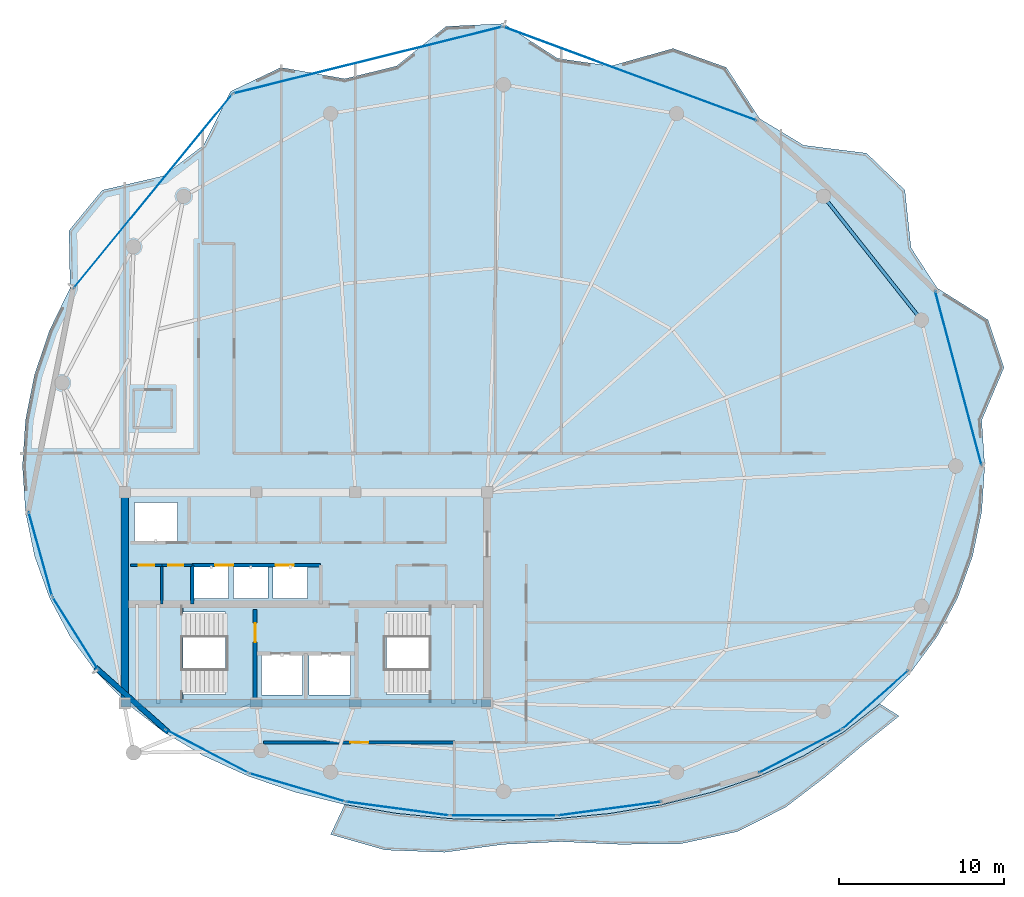
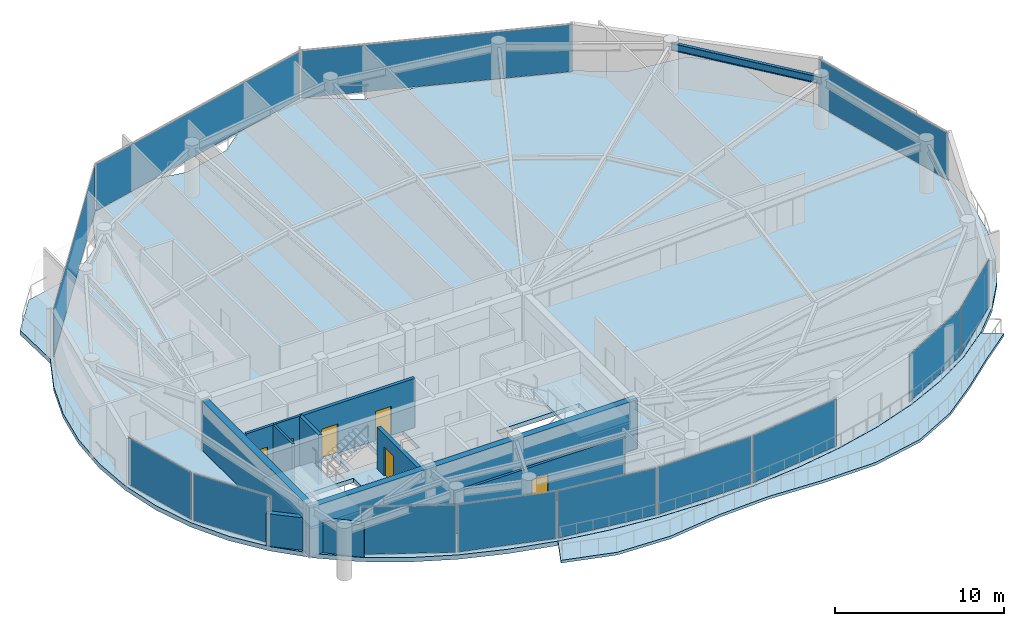
# One storey, part 23 of 29: 13 plates, 10 walls, 6 doors, 4 slabs, 1 beam, 6 openings, 15 elements without a shape of their own.
"""IFC4 building model written with IfcOpenShell, lengths in metres."""

from ifc_helpers import new_model, si_unit, direction, frame, frame_2d, origin, origin_2d, place, context, subcontext, project, spatial, polyline, rectangle, i_section, outline, extrude, material, layer, layer_set, material_profile, profile_set, type_object, element, fill, aggregate, save


model = new_model("IFC4")

# Units and contexts
model_context = context("Model", 3, precision=1e-05, world=origin(), true_north=direction((0.0, 1.0)))
body_context = subcontext(model_context, "Body", "Model", "MODEL_VIEW")
ifc_project = project(units=[si_unit("LENGTHUNIT", "METRE"), si_unit("AREAUNIT", "SQUARE_METRE"), si_unit("VOLUMEUNIT", "CUBIC_METRE"), si_unit("PLANEANGLEUNIT", "RADIAN"), si_unit("MASSUNIT", "GRAM", prefix="KILO")], contexts=[model_context])

# Site, building, storey
site_placement = place(None, origin())
site = spatial("IfcSite", under=ifc_project, at=site_placement, CompositionType="ELEMENT")
building_placement = place(site_placement, origin())
building = spatial("IfcBuilding", under=site, at=building_placement, Name="Kazevale Care Tower and Concert Hall", CompositionType="ELEMENT")
storey_placement = place(building_placement, frame((0.0, 0.0, 281.39990234375)))
storey = spatial("IfcBuildingStorey", under=building, at=storey_placement, Name="L74", CompositionType="ELEMENT", Elevation=281.39990234375)

# Beam
ifc_material_1 = material(Name="Steel ASTM A572 Gr 50", Category="steel")
ifc_material_profile = material_profile(ifc_material_1, i_section(OverallWidth=0.208984375, OverallDepth=0.532958984375, WebThickness=0.01025390625, FlangeThickness=0.015625, at=origin_2d()), Name="W530x92")
ifc_profile_set = profile_set([ifc_material_profile], Name="Steel ASTM A572 Gr 50")
beam_type = type_object("IfcBeamType", Name="Upper Ring Beam W530x92", PredefinedType="BEAM", material=ifc_profile_set)
beam_placement = place(storey_placement, frame((70.360107421875, 46.860107421875, 3.293701171875), z_axis=(-0.621008988522, 0.783803442308, 0.0), x_axis=(-0.783803442308, -0.621008988522, 0.0)))
element("IfcBeam", 1, at=beam_placement, inside=storey, type_object=beam_type, Name="beam:L74:ring:02", PredefinedType="BEAM", context=body_context, shape_type="SweptSolid", body=[
    extrude(i_section(OverallWidth=0.208984375, OverallDepth=0.532958984375, WebThickness=0.01025390625, FlangeThickness=0.015625, at=origin_2d()), origin(), (0.0, 0.0, 1.0), 9.58154296875),
])

# Curtain wall, plate
ifc_material_2 = material(Name="Aluminium 6063-T6 and Low-E Glass", Category="aluminium")
ifc_layer_1 = layer(ifc_material_2, 0.179931640625)
ifc_layer_set_1 = layer_set([ifc_layer_1], Name="Aluminium 6063-T6 and Low-E Glass")
curtain_wall_type_1 = type_object("IfcCurtainWallType", Name="Convex Checkerboard Finned Curtain Wall CW-2", PredefinedType="NOTDEFINED", material=ifc_layer_set_1)
curtain_wall_1_placement = place(storey_placement, origin())
curtain_wall_1 = element("IfcCurtainWall", 2, at=curtain_wall_1_placement, inside=storey, type_object=curtain_wall_type_1, Name="cw:L74:f14", PredefinedType="NOTDEFINED")
ifc_material_3 = material(Name="Low-E Laminated Glass", Category="glass")
ifc_layer_2 = layer(ifc_material_3, 0.028076171875)
ifc_layer_set_2 = layer_set([ifc_layer_2], Name="Low-E Laminated Glass")
plate_type_1 = type_object("IfcPlateType", Name="CW-2 Low-E Glazing Panel 28mm", PredefinedType="CURTAIN_PANEL", material=ifc_layer_set_2)
plate_1_placement = place(storey_placement, frame((23.717041015625, 54.681396484375, 0.0751953125), z_axis=(0.0, 0.0, 1.0), x_axis=(0.63342647463, 0.773802882676, 0.0)))
plate_1 = element("IfcPlate", 3, at=plate_1_placement, type_object=plate_type_1, Name="CW-2 panel 1.1", PredefinedType="CURTAIN_PANEL", context=body_context, shape_type="SweptSolid", body=[
    extrude(rectangle(XDim=15.134521484375, YDim=0.028076171875, at=origin_2d()), origin(), (0.0, 0.0, 1.0), 3.409912109375),
])
aggregate(curtain_wall_1, [plate_1])

curtain_wall_2_placement = place(storey_placement, origin())
curtain_wall_2 = element("IfcCurtainWall", 4, at=curtain_wall_2_placement, inside=storey, type_object=curtain_wall_type_1, Name="cw:L74:f16", PredefinedType="NOTDEFINED")
plate_2_placement = place(storey_placement, frame((52.678955078125, 61.80908203125, 0.0751953125), z_axis=(0.0, 0.0, 1.0), x_axis=(0.937915548844, -0.346863695471, 0.0)))
plate_2 = element("IfcPlate", 5, at=plate_2_placement, type_object=plate_type_1, Name="CW-2 panel 1.1", PredefinedType="CURTAIN_PANEL", context=body_context, shape_type="SweptSolid", body=[
    extrude(rectangle(XDim=16.319091796875, YDim=0.028076171875, at=origin_2d()), origin(), (0.0, 0.0, 1.0), 3.409912109375),
])
aggregate(curtain_wall_2, [plate_2])

ifc_layer_3 = layer(ifc_material_2, 0.179931640625)
ifc_layer_set_3 = layer_set([ifc_layer_3], Name="Aluminium 6063-T6 and Low-E Glass")
curtain_wall_type_2 = type_object("IfcCurtainWallType", Name="Waist & Upper Residential Curtain Wall CW-4", PredefinedType="NOTDEFINED", material=ifc_layer_set_3)
curtain_wall_3_placement = place(storey_placement, origin())
curtain_wall_3 = element("IfcCurtainWall", 6, at=curtain_wall_3_placement, inside=storey, type_object=curtain_wall_type_2, Name="cw:L74:f11", PredefinedType="NOTDEFINED")
ifc_layer_4 = layer(ifc_material_3, 0.030029296875)
ifc_layer_set_4 = layer_set([ifc_layer_4], Name="Low-E Laminated Glass")
plate_type_2 = type_object("IfcPlateType", Name="CW-4 Low-E Glazing Panel 30mm", PredefinedType="CURTAIN_PANEL", material=ifc_layer_set_4)
plate_3_placement = place(storey_placement, frame((19.008544921875, 27.85205078125, 0.080078125), z_axis=(0.0, 0.0, 1.0), x_axis=(-0.532074560711, 0.846697503152, 0.0)))
plate_3 = element("IfcPlate", 7, at=plate_3_placement, type_object=plate_type_2, Name="CW-4 panel 1.1", PredefinedType="CURTAIN_PANEL", context=body_context, shape_type="SweptSolid", body=[
    extrude(rectangle(XDim=5.119384765625, YDim=0.030029296875, at=origin_2d()), origin(), (0.0, 0.0, 1.0), 3.39990234375),
])
aggregate(curtain_wall_3, [plate_3])

curtain_wall_4_placement = place(storey_placement, origin())
curtain_wall_4 = element("IfcCurtainWall", 8, at=curtain_wall_4_placement, inside=storey, type_object=curtain_wall_type_2, Name="cw:L74:f12", PredefinedType="NOTDEFINED")
plate_4_placement = place(storey_placement, frame((16.883056640625, 32.67041015625, 0.080078125), z_axis=(0.0, 0.0, 1.0), x_axis=(-0.268807011704, 0.963194056491, 0.0)))
plate_4 = element("IfcPlate", 9, at=plate_4_placement, type_object=plate_type_2, Name="CW-4 panel 1.1", PredefinedType="CURTAIN_PANEL", context=body_context, shape_type="SweptSolid", body=[
    extrude(rectangle(XDim=5.204345703125, YDim=0.030029296875, at=origin_2d()), origin(), (0.0, 0.0, 1.0), 3.39990234375),
])
aggregate(curtain_wall_4, [plate_4])

curtain_wall_5_placement = place(storey_placement, origin())
curtain_wall_5 = element("IfcCurtainWall", 10, at=curtain_wall_5_placement, inside=storey, type_object=curtain_wall_type_2, Name="cw:L74:f15", PredefinedType="NOTDEFINED")
plate_5_placement = place(storey_placement, frame((36.756103515625, 62.633056640625, 0.080078125), z_axis=(0.0, 0.0, 1.0), x_axis=(0.970552136495, 0.240891158711, 0.0)))
plate_5 = element("IfcPlate", 11, at=plate_5_placement, type_object=plate_type_2, Name="CW-4 panel 1.1", PredefinedType="CURTAIN_PANEL", context=body_context, shape_type="SweptSolid", body=[
    extrude(rectangle(XDim=16.727294921875, YDim=0.030029296875, at=origin_2d()), origin(), (0.0, 0.0, 1.0), 3.39990234375),
])
aggregate(curtain_wall_5, [plate_5])

curtain_wall_6_placement = place(storey_placement, origin())
curtain_wall_6 = element("IfcCurtainWall", 12, at=curtain_wall_6_placement, inside=storey, type_object=curtain_wall_type_2, Name="cw:L74:f18", PredefinedType="NOTDEFINED")
plate_6_placement = place(storey_placement, frame((72.599609375, 43.3359375, 0.080078125), z_axis=(0.0, 0.0, 1.0), x_axis=(0.257251209214, -0.966344563475, 0.0)))
plate_6 = element("IfcPlate", 13, at=plate_6_placement, type_object=plate_type_2, Name="CW-4 panel 1.1", PredefinedType="CURTAIN_PANEL", context=body_context, shape_type="SweptSolid", body=[
    extrude(rectangle(XDim=10.8837890625, YDim=0.030029296875, at=origin_2d()), origin(), (0.0, 0.0, 1.0), 3.39990234375),
])
aggregate(curtain_wall_6, [plate_6])

ifc_layer_5 = layer(ifc_material_2, 0.179931640625)
ifc_layer_set_5 = layer_set([ifc_layer_5], Name="Aluminium 6063-T6 and Low-E Glass")
curtain_wall_type_3 = type_object("IfcCurtainWallType", Name="Sheltered Concave Balcony Curtain Wall CW-5", PredefinedType="NOTDEFINED", material=ifc_layer_set_5)
curtain_wall_7_placement = place(storey_placement, origin())
curtain_wall_7 = element("IfcCurtainWall", 14, at=curtain_wall_7_placement, inside=storey, type_object=curtain_wall_type_3, Name="cw:L74:f02", PredefinedType="NOTDEFINED")
ifc_layer_6 = layer(ifc_material_3, 0.02587890625)
ifc_layer_set_6 = layer_set([ifc_layer_6], Name="Low-E Laminated Glass")
plate_type_3 = type_object("IfcPlateType", Name="CW-5 Low-E Glazing Panel 26mm", PredefinedType="CURTAIN_PANEL", material=ifc_layer_set_6)
plate_7_placement = place(storey_placement, frame((67.56640625, 23.819580078125, 0.0751953125), z_axis=(0.0, 0.0, 1.0), x_axis=(-0.747133834563, -0.664673629123, 0.0)))
plate_7 = element("IfcPlate", 15, at=plate_7_placement, type_object=plate_type_3, Name="CW-5 panel 1.1", PredefinedType="CURTAIN_PANEL", context=body_context, shape_type="SweptSolid", body=[
    extrude(rectangle(XDim=5.2587890625, YDim=0.02587890625, at=origin_2d()), origin(), (0.0, 0.0, 1.0), 3.409912109375),
])
aggregate(curtain_wall_7, [plate_7])

curtain_wall_8_placement = place(storey_placement, origin())
curtain_wall_8 = element("IfcCurtainWall", 16, at=curtain_wall_8_placement, inside=storey, type_object=curtain_wall_type_3, Name="cw:L74:f03", PredefinedType="NOTDEFINED")
plate_8_placement = place(storey_placement, frame((63.007568359375, 20.693603515625, 0.0751953125), z_axis=(0.0, 0.0, 1.0), x_axis=(-0.886002261972, -0.463680915912, 0.0)))
plate_8 = element("IfcPlate", 17, at=plate_8_placement, type_object=plate_type_3, Name="CW-5 panel 1.1", PredefinedType="CURTAIN_PANEL", context=body_context, shape_type="SweptSolid", body=[
    extrude(rectangle(XDim=5.580322265625, YDim=0.02587890625, at=origin_2d()), origin(), (0.0, 0.0, 1.0), 3.409912109375),
])
aggregate(curtain_wall_8, [plate_8])

curtain_wall_9_placement = place(storey_placement, origin())
curtain_wall_9 = element("IfcCurtainWall", 18, at=curtain_wall_9_placement, inside=storey, type_object=curtain_wall_type_3, Name="cw:L74:f05", PredefinedType="NOTDEFINED")
plate_9_placement = place(storey_placement, frame((51.4326171875, 17.20947265625, 0.0751953125), z_axis=(0.0, 0.0, 1.0), x_axis=(-0.991177380664, -0.132542069018, 0.0)))
plate_9 = element("IfcPlate", 19, at=plate_9_placement, type_object=plate_type_3, Name="CW-5 panel 1.1", PredefinedType="CURTAIN_PANEL", context=body_context, shape_type="SweptSolid", body=[
    extrude(rectangle(XDim=6.255615234375, YDim=0.02587890625, at=origin_2d()), origin(), (0.0, 0.0, 1.0), 3.409912109375),
])
aggregate(curtain_wall_9, [plate_9])

curtain_wall_10_placement = place(storey_placement, origin())
curtain_wall_10 = element("IfcCurtainWall", 20, at=curtain_wall_10_placement, inside=storey, type_object=curtain_wall_type_3, Name="cw:L74:f06", PredefinedType="NOTDEFINED")
plate_10_placement = place(storey_placement, frame((45.0, 16.784912109375, 0.0751953125), z_axis=(0.0, 0.0, 1.0), x_axis=(-1.0, 0.0, 0.0)))
plate_10 = element("IfcPlate", 21, at=plate_10_placement, type_object=plate_type_3, Name="CW-5 panel 1.1", PredefinedType="CURTAIN_PANEL", context=body_context, shape_type="SweptSolid", body=[
    extrude(rectangle(XDim=6.365966796875, YDim=0.02587890625, at=origin_2d()), origin(), (0.0, 0.0, 1.0), 3.409912109375),
])
aggregate(curtain_wall_10, [plate_10])

curtain_wall_11_placement = place(storey_placement, origin())
curtain_wall_11 = element("IfcCurtainWall", 22, at=curtain_wall_11_placement, inside=storey, type_object=curtain_wall_type_3, Name="cw:L74:f07", PredefinedType="NOTDEFINED")
plate_11_placement = place(storey_placement, frame((38.5673828125, 17.20947265625, 0.0751953125), z_axis=(0.0, 0.0, 1.0), x_axis=(-0.991177380664, 0.132542069018, 0.0)))
plate_11 = element("IfcPlate", 23, at=plate_11_placement, type_object=plate_type_3, Name="CW-5 panel 1.1", PredefinedType="CURTAIN_PANEL", context=body_context, shape_type="SweptSolid", body=[
    extrude(rectangle(XDim=6.255615234375, YDim=0.02587890625, at=origin_2d()), origin(), (0.0, 0.0, 1.0), 3.409912109375),
])
aggregate(curtain_wall_11, [plate_11])

curtain_wall_12_placement = place(storey_placement, origin())
curtain_wall_12 = element("IfcCurtainWall", 24, at=curtain_wall_12_placement, inside=storey, type_object=curtain_wall_type_3, Name="cw:L74:f08", PredefinedType="NOTDEFINED")
plate_12_placement = place(storey_placement, frame((32.4619140625, 18.49951171875, 0.0751953125), z_axis=(0.0, 0.0, 1.0), x_axis=(-0.959060133902, 0.283202506274, 0.0)))
plate_12 = element("IfcPlate", 25, at=plate_12_placement, type_object=plate_type_3, Name="CW-5 panel 1.1", PredefinedType="CURTAIN_PANEL", context=body_context, shape_type="SweptSolid", body=[
    extrude(rectangle(XDim=5.962158203125, YDim=0.02587890625, at=origin_2d()), origin(), (0.0, 0.0, 1.0), 3.409912109375),
])
aggregate(curtain_wall_12, [plate_12])

curtain_wall_13_placement = place(storey_placement, origin())
curtain_wall_13 = element("IfcCurtainWall", 26, at=curtain_wall_13_placement, inside=storey, type_object=curtain_wall_type_3, Name="cw:L74:f09", PredefinedType="NOTDEFINED")
plate_13_placement = place(storey_placement, frame((26.992431640625, 20.693603515625, 0.0751953125), z_axis=(0.0, 0.0, 1.0), x_axis=(-0.886002261972, 0.463680915912, 0.0)))
plate_13 = element("IfcPlate", 27, at=plate_13_placement, type_object=plate_type_3, Name="CW-5 panel 1.1", PredefinedType="CURTAIN_PANEL", context=body_context, shape_type="SweptSolid", body=[
    extrude(rectangle(XDim=5.580322265625, YDim=0.02587890625, at=origin_2d()), origin(), (0.0, 0.0, 1.0), 3.409912109375),
])
aggregate(curtain_wall_13, [plate_13])

# Slab
ifc_material_4 = material(Name="Concrete C40", Category="concrete")
ifc_layer_7 = layer(ifc_material_4, 0.199951171875)
ifc_layer_set_7 = layer_set([ifc_layer_7], Name="Concrete C40")
slab_type_1 = type_object("IfcSlabType", Name="Sinusoidal Concave Balcony Slab 200", PredefinedType="USERDEFINED", material=ifc_layer_set_7)
slab_1_placement = place(storey_placement, frame((0.0, 0.0, -0.199951171875)))
element("IfcSlab", 28, at=slab_1_placement, inside=storey, type_object=slab_type_1, Name="slab:L74:bal", ObjectType="BALCONY", PredefinedType="USERDEFINED", context=body_context, shape_type="SweptSolid", body=[
    extrude(outline(polyline([(69.0009765625, 22.82861328125), (66.7392578125, 21.020263671875), (64.52734375, 19.139404296875), (62.1103515625, 17.291015625), (59.201904296875, 15.8193359375), (55.760986328125, 15.077880859375), (52.078125, 15.0400390625), (48.4833984375, 15.204345703125), (45.0, 15.038818359375), (41.41796875, 14.5595703125), (37.816162109375, 14.697021484375), (34.50244140625, 15.63916015625), (35.353759765625, 17.45263671875), (35.35498046875, 17.452392578125), (38.501708984375, 16.918212890625), (41.730224609375, 16.6005859375), (45.0, 16.4951171875), (48.269775390625, 16.6005859375), (51.498291015625, 16.918212890625), (54.64501953125, 17.452392578125), (57.6708984375, 18.208251953125), (60.537109375, 19.192626953125), (63.208251953125, 20.411376953125), (65.650390625, 21.868896484375), (67.832763671875, 23.5654296875), (67.833740234375, 23.56640625), (69.0009765625, 22.82861328125)])), origin(), (0.0, 0.0, 1.0), 0.199951171875),
])

# Stair, slab
stair_type = type_object("IfcStairType", Name="Exit Stair Assembly ST1-U", PredefinedType="HALF_TURN_STAIR", material=ifc_material_4)
stair_1_placement = place(storey_placement, origin())
stair_1 = element("IfcStair", 29, at=stair_1_placement, inside=storey, type_object=stair_type, Name="stair:L74:ST1", PredefinedType="HALF_TURN_STAIR")
ifc_layer_8 = layer(ifc_material_4, 0.199951171875)
ifc_layer_set_8 = layer_set([ifc_layer_8], Name="Concrete C40")
slab_type_2 = type_object("IfcSlabType", Name="Stair Half-Landing Slab ST1-U", PredefinedType="LANDING", material=ifc_layer_set_8)
slab_2_placement = place(storey_placement, frame((0.0, 0.0, 1.7001953125)))
slab_2 = element("IfcSlab", 30, at=slab_2_placement, type_object=slab_type_2, Name="ST1-U landing 1", PredefinedType="LANDING", context=body_context, shape_type="SweptSolid", body=[
    extrude(outline(polyline([(22.050048828125, 23.699951171875), (25.530029296875, 23.699951171875), (25.530029296875, 29.5), (22.050048828125, 29.5), (22.050048828125, 23.699951171875)])), origin(), (0.0, 0.0, 1.0), 0.199951171875),
])
aggregate(stair_1, [slab_2])

stair_2_placement = place(storey_placement, origin())
stair_2 = element("IfcStair", 31, at=stair_2_placement, inside=storey, type_object=stair_type, Name="stair:L74:ST2", PredefinedType="HALF_TURN_STAIR")
slab_3_placement = place(storey_placement, frame((0.0, 0.0, 1.7001953125)))
slab_3 = element("IfcSlab", 32, at=slab_3_placement, type_object=slab_type_2, Name="ST1-U landing 1", PredefinedType="LANDING", context=body_context, shape_type="SweptSolid", body=[
    extrude(outline(polyline([(40.469970703125, 23.699951171875), (43.949951171875, 23.699951171875), (43.949951171875, 29.5), (40.469970703125, 29.5), (40.469970703125, 23.699951171875)])), origin(), (0.0, 0.0, 1.0), 0.199951171875),
])
aggregate(stair_2, [slab_3])

# Slab
ifc_material_5 = material(Name="Concrete C50", Category="concrete")
ifc_layer_9 = layer(ifc_material_5, 0.320068359375)
ifc_layer_set_9 = layer_set([ifc_layer_9], Name="Concrete C50")
slab_type_3 = type_object("IfcSlabType", Name="Transfer & Refuge Floor Slab 320", PredefinedType="FLOOR", material=ifc_layer_set_9)
slab_4_placement = place(storey_placement, frame((0.0, 0.0, -0.31982421875)))
element("IfcSlab", 33, at=slab_4_placement, inside=storey, type_object=slab_type_3, Name="slab:L74:tw:1", PredefinedType="FLOOR", context=body_context, shape_type="SweptSolid", body=[
    extrude(outline(polyline([(74.199951171875, 38.0), (74.016357421875, 40.787841796875), (75.368896484375, 43.974609375), (74.402099609375, 46.867919921875), (71.308349609375, 48.8037109375), (69.724365234375, 51.24755859375), (69.35400390625, 54.74072265625), (67.0263671875, 56.98583984375), (63.205810546875, 57.467529296875), (60.535400390625, 59.08349609375), (58.515380859375, 62.19091796875), (55.2880859375, 63.34326171875), (51.49755859375, 62.275634765625), (48.269287109375, 62.743408203125), (45.0, 64.85009765625), (41.51220703125, 64.68115234375), (38.50244140625, 62.275634765625), (35.35595703125, 61.502685546875), (31.484619140625, 62.19091796875), (28.42724609375, 60.734619140625), (26.794189453125, 57.467529296875), (24.3525390625, 55.60693359375), (20.64599609375, 54.74072265625), (18.62451171875, 52.28515625), (18.691650390625, 48.8037109375), (17.438720703125, 46.223876953125), (16.531982421875, 43.540771484375), (15.983642578125, 40.787841796875), (15.800048828125, 38.0), (15.983642578125, 35.229736328125), (16.531982421875, 32.551513671875), (17.438720703125, 30.01416015625), (18.691650390625, 27.654541015625), (20.275634765625, 25.5), (22.17041015625, 23.569091796875), (24.3525390625, 21.873046875), (26.794189453125, 20.415771484375), (29.464599609375, 19.197265625), (32.33056640625, 18.212890625), (35.35595703125, 17.457275390625), (38.50244140625, 16.92333984375), (41.730712890625, 16.60546875), (45.0, 16.5), (48.269287109375, 16.60546875), (51.49755859375, 16.92333984375), (54.64404296875, 17.457275390625), (57.66943359375, 18.212890625), (60.535400390625, 19.197265625), (63.205810546875, 20.415771484375), (65.6474609375, 21.873046875), (67.82958984375, 23.569091796875), (69.724365234375, 25.5), (71.308349609375, 27.654541015625), (72.561279296875, 30.01416015625), (73.468017578125, 32.551513671875), (74.016357421875, 35.229736328125), (74.199951171875, 38.0)]), holes=[polyline([(22.449951171875, 24.14990234375), (28.110107421875, 24.14990234375), (28.110107421875, 29.14990234375), (22.449951171875, 29.14990234375), (22.449951171875, 24.14990234375)]), polyline([(37.889892578125, 24.14990234375), (43.550048828125, 24.14990234375), (43.550048828125, 29.14990234375), (37.889892578125, 29.14990234375), (37.889892578125, 24.14990234375)]), polyline([(30.300048828125, 24.10009765625), (32.800048828125, 24.10009765625), (32.800048828125, 26.60009765625), (30.300048828125, 26.60009765625), (30.300048828125, 24.10009765625)]), polyline([(33.199951171875, 24.10009765625), (35.699951171875, 24.10009765625), (35.699951171875, 26.60009765625), (33.199951171875, 26.60009765625), (33.199951171875, 24.10009765625)]), polyline([(22.60009765625, 33.39990234375), (25.199951171875, 33.39990234375), (25.199951171875, 35.800048828125), (22.60009765625, 35.800048828125), (22.60009765625, 33.39990234375)]), polyline([(26.199951171875, 29.949951171875), (28.300048828125, 29.949951171875), (28.300048828125, 31.949951171875), (26.199951171875, 31.949951171875), (26.199951171875, 29.949951171875)]), polyline([(28.60009765625, 29.949951171875), (30.699951171875, 29.949951171875), (30.699951171875, 31.949951171875), (28.60009765625, 31.949951171875), (28.60009765625, 29.949951171875)]), polyline([(31.0, 29.949951171875), (33.10009765625, 29.949951171875), (33.10009765625, 31.949951171875), (31.0, 31.949951171875), (31.0, 29.949951171875)])]), origin(), (0.0, 0.0, 1.0), 0.31982421875),
])

# Walls
ifc_layer_10 = layer(ifc_material_5, 0.449951171875)
ifc_layer_set_10 = layer_set([ifc_layer_10], Name="Concrete C50")
wall_type_1 = type_object("IfcWallType", Name="Core Shear Wall 450 C50", PredefinedType="SHEAR", material=ifc_layer_set_10)
wall_1_placement = place(storey_placement, frame((21.77490234375, 23.60009765625, 0.0), z_axis=(0.0, 0.0, 1.0), x_axis=(1.0, 0.0, 0.0)))
element("IfcWall", 34, at=wall_1_placement, inside=storey, type_object=wall_type_1, Name="wall:L74:core:S", PredefinedType="SHEAR", context=body_context, shape_type="SweptSolid", body=[
    extrude(rectangle(XDim=22.4501953125, YDim=0.449951171875, at=frame_2d((11.22509765625, 0.0))), origin(), (0.0, 0.0, 1.0), 3.56005859375),
])
wall_2_placement = place(storey_placement, frame((22.0, 23.824951171875, 0.0), z_axis=(0.0, 0.0, 1.0), x_axis=(0.0, 1.0, 0.0)))
element("IfcWall", 35, at=wall_2_placement, inside=storey, type_object=wall_type_1, Name="wall:L74:core:W", PredefinedType="SHEAR", context=body_context, shape_type="SweptSolid", body=[
    extrude(rectangle(XDim=12.35009765625, YDim=0.449951171875, at=frame_2d((6.175048828125, 0.0))), origin(), (0.0, 0.0, 1.0), 3.56005859375),
])
ifc_layer_11 = layer(ifc_material_4, 0.219970703125)
ifc_layer_set_11 = layer_set([ifc_layer_11], Name="Concrete C40")
wall_type_2 = type_object("IfcWallType", Name="Elevator Hoistway Shaft Wall 220", PredefinedType="SOLIDWALL", material=ifc_layer_set_11)
wall_3_placement = place(storey_placement, frame((26.10009765625, 29.6201171875, 0.0), z_axis=(0.0, 0.0, 1.0), x_axis=(0.0, 1.0, 0.0)))
element("IfcWall", 36, at=wall_3_placement, inside=storey, type_object=wall_type_2, Name="wall:L74:c_ph_w", PredefinedType="SOLIDWALL", context=body_context, shape_type="SweptSolid", body=[
    extrude(rectangle(XDim=2.35986328125, YDim=0.219970703125, at=frame_2d((1.179931640625, 0.0))), origin(), (0.0, 0.0, 1.0), 3.56005859375),
])

# Wall, openings, doors
wall_4_placement = place(storey_placement, frame((26.10009765625, 31.97998046875, 0.0), z_axis=(0.0, 0.0, 1.0), x_axis=(1.0, 0.0, 0.0)))
wall_4 = element("IfcWall", 37, at=wall_4_placement, inside=storey, type_object=wall_type_2, Name="wall:L74:c_ph_n", PredefinedType="SOLIDWALL", context=body_context, shape_type="SweptSolid", body=[
    extrude(rectangle(XDim=7.7998046875, YDim=0.219970703125, at=frame_2d((3.89990234375, 0.0))), origin(), (0.0, 0.0, 1.0), 3.56005859375),
])
opening_1_placement = place(wall_4_placement, frame((1.39990234375, 0.0, 0.0)))
opening_1 = element("IfcOpeningElement", 38, at=opening_1_placement, cuts=wall_4, Name="Opening LD-PAX", PredefinedType="OPENING", context=body_context, shape_type="SweptSolid", body=[
    extrude(rectangle(XDim=1.10009765625, YDim=2.10009765625, at=frame_2d((0.550048828125, 1.050048828125))), frame((0.0, 0.119873046875, 0.0), z_axis=(0.0, -1.0, 0.0), x_axis=(1.0, 0.0, 0.0)), (0.0, 0.0, 1.0), 0.239990234375),
])
opening_2_placement = place(wall_4_placement, frame((5.06591796875, 0.0, 0.0)))
opening_2 = element("IfcOpeningElement", 39, at=opening_2_placement, cuts=wall_4, Name="Opening LD-PAX", PredefinedType="OPENING", context=body_context, shape_type="SweptSolid", body=[
    extrude(rectangle(XDim=1.10009765625, YDim=2.10009765625, at=frame_2d((0.550048828125, 1.050048828125))), frame((0.0, 0.119873046875, 0.0), z_axis=(0.0, -1.0, 0.0), x_axis=(1.0, 0.0, 0.0)), (0.0, 0.0, 1.0), 0.239990234375),
])
ifc_material_6 = material(Name="Stainless Steel 316", Category="steel")
door_type_1 = type_object("IfcDoorType", Name="Passenger Lift Sliding Landing Door 1100x2100", OperationType="NOTDEFINED", PredefinedType="DOOR", material=ifc_material_6)
door_1_placement = place(opening_1_placement, origin())
door_1 = element("IfcDoor", 40, at=door_1_placement, inside=storey, type_object=door_type_1, Name="door:L74:ld_ph1", OperationType="SLIDING_TO_LEFT", OverallHeight=2.10009765625, OverallWidth=1.10009765625, PredefinedType="DOOR", context=body_context, shape_type="SweptSolid", body=[
    extrude(rectangle(XDim=1.10009765625, YDim=2.10009765625, at=frame_2d((0.550048828125, 1.050048828125))), frame((0.0, 0.02490234375, 0.0), z_axis=(0.0, -1.0, 0.0), x_axis=(1.0, 0.0, 0.0)), (0.0, 0.0, 1.0), 0.050048828125),
])
fill(opening_1, door_1)
door_2_placement = place(opening_2_placement, origin())
door_2 = element("IfcDoor", 41, at=door_2_placement, inside=storey, type_object=door_type_1, Name="door:L74:ld_ph2", OperationType="SLIDING_TO_RIGHT", OverallHeight=2.10009765625, OverallWidth=1.10009765625, PredefinedType="DOOR", context=body_context, shape_type="SweptSolid", body=[
    extrude(rectangle(XDim=1.10009765625, YDim=2.10009765625, at=frame_2d((0.550048828125, 1.050048828125))), frame((0.0, 0.02490234375, 0.0), z_axis=(0.0, -1.0, 0.0), x_axis=(1.0, 0.0, 0.0)), (0.0, 0.0, 1.0), 0.050048828125),
])
fill(opening_2, door_2)

# Wall, opening, door
ifc_material_7 = material(Name="Concrete C40 and Acoustic Gypsum", Category="concrete")
ifc_layer_12 = layer(ifc_material_7, 0.179931640625)
ifc_layer_set_12 = layer_set([ifc_layer_12], Name="Concrete C40 and Acoustic Gypsum")
wall_type_3 = type_object("IfcWallType", Name="Fire-Rated Corridor & Party Wall 180", PredefinedType="PARTITIONING", material=ifc_layer_set_12)
wall_5_placement = place(storey_placement, frame((22.35009765625, 31.97998046875, 0.0), z_axis=(0.0, 0.0, 1.0), x_axis=(1.0, 0.0, 0.0)))
wall_5 = element("IfcWall", 42, at=wall_5_placement, inside=storey, type_object=wall_type_3, Name="wall:L74:kb_wn0", PredefinedType="PARTITIONING", context=body_context, shape_type="SweptSolid", body=[
    extrude(rectangle(XDim=1.909912109375, YDim=0.179931640625, at=frame_2d((0.955078125, 0.0))), origin(), (0.0, 0.0, 1.0), 3.56005859375),
])
opening_3_placement = place(wall_5_placement, frame((0.514892578125, 0.0, 0.0)))
opening_3 = element("IfcOpeningElement", 43, at=opening_3_placement, cuts=wall_5, Name="Opening ID-900", PredefinedType="OPENING", context=body_context, shape_type="SweptSolid", body=[
    extrude(rectangle(XDim=0.919921875, YDim=2.10009765625, at=frame_2d((0.4599609375, 1.050048828125))), frame((0.0, 0.099853515625, 0.0), z_axis=(0.0, -1.0, 0.0), x_axis=(1.0, 0.0, 0.0)), (0.0, 0.0, 1.0), 0.199951171875),
])
ifc_material_8 = material(Name="Oak Timber Fire Leaf", Category="wood")
door_type_2 = type_object("IfcDoorType", Name="Bathroom & Service Door 920x2100", OperationType="NOTDEFINED", PredefinedType="DOOR", material=ifc_material_8)
door_3_placement = place(opening_3_placement, origin())
door_3 = element("IfcDoor", 44, at=door_3_placement, inside=storey, type_object=door_type_2, Name="door:L74:d_kbw1", OperationType="SINGLE_SWING_LEFT", OverallHeight=2.10009765625, OverallWidth=0.919921875, PredefinedType="DOOR", context=body_context, shape_type="SweptSolid", body=[
    extrude(rectangle(XDim=0.919921875, YDim=2.10009765625, at=frame_2d((0.4599609375, 1.050048828125))), frame((0.0, 0.02490234375, 0.0), z_axis=(0.0, -1.0, 0.0), x_axis=(1.0, 0.0, 0.0)), (0.0, 0.0, 1.0), 0.050048828125),
])
fill(opening_3, door_3)

wall_6_placement = place(storey_placement, frame((42.06494140625, 21.22509765625, 0.0), z_axis=(0.0, 0.0, 1.0), x_axis=(-1.0, 0.0, 0.0)))
wall_6 = element("IfcWall", 45, at=wall_6_placement, inside=storey, type_object=wall_type_3, Name="wall:L74:auto_016", PredefinedType="PARTITIONING", context=body_context, shape_type="SweptSolid", body=[
    extrude(rectangle(XDim=11.6298828125, YDim=0.179931640625, at=frame_2d((5.81494140625, 0.0))), origin(), (0.0, 0.0, 1.0), 3.01708984375),
])
opening_4_placement = place(wall_6_placement, frame((5.264892578125, 0.0, 0.0)))
opening_4 = element("IfcOpeningElement", 46, at=opening_4_placement, cuts=wall_6, Name="Opening ID-1100", PredefinedType="OPENING", context=body_context, shape_type="SweptSolid", body=[
    extrude(rectangle(XDim=1.10009765625, YDim=2.10009765625, at=frame_2d((0.550048828125, 1.050048828125))), frame((0.0, 0.099853515625, 0.0), z_axis=(0.0, -1.0, 0.0), x_axis=(1.0, 0.0, 0.0)), (0.0, 0.0, 1.0), 0.199951171875),
])
door_type_3 = type_object("IfcDoorType", Name="Care Bedroom Accessible Door 1100x2100", OperationType="NOTDEFINED", PredefinedType="DOOR", material=ifc_material_8)
door_4_placement = place(opening_4_placement, origin())
door_4 = element("IfcDoor", 47, at=door_4_placement, inside=storey, type_object=door_type_3, Name="door:L74:ad_016", OperationType="SINGLE_SWING_LEFT", OverallHeight=2.10009765625, OverallWidth=1.10009765625, PredefinedType="DOOR", context=body_context, shape_type="SweptSolid", body=[
    extrude(rectangle(XDim=1.10009765625, YDim=2.10009765625, at=frame_2d((0.550048828125, 1.050048828125))), frame((0.0, 0.02490234375, 0.0), z_axis=(0.0, -1.0, 0.0), x_axis=(1.0, 0.0, 0.0)), (0.0, 0.0, 1.0), 0.050048828125),
])
fill(opening_4, door_4)

# Wall
ifc_material_9 = material(Name="Acoustic Gypsum on Steel Stud", Category="steel")
ifc_layer_13 = layer(ifc_material_9, 0.159912109375)
ifc_layer_set_13 = layer_set([ifc_layer_13], Name="Acoustic Gypsum on Steel Stud")
wall_type_4 = type_object("IfcWallType", Name="Moisture-Resistant Bathroom Plumbing Wall 160", PredefinedType="PLUMBINGWALL", material=ifc_layer_set_13)
wall_7_placement = place(storey_placement, frame((24.260009765625, 29.6201171875, 0.0), z_axis=(0.0, 0.0, 1.0), x_axis=(0.0, 1.0, 0.0)))
element("IfcWall", 48, at=wall_7_placement, inside=storey, type_object=wall_type_4, Name="wall:L74:kb_we1", PredefinedType="PLUMBINGWALL", context=body_context, shape_type="SweptSolid", body=[
    extrude(rectangle(XDim=2.35986328125, YDim=0.159912109375, at=frame_2d((1.179931640625, 0.0))), origin(), (0.0, 0.0, 1.0), 3.56005859375),
])

# Wall, opening, door
wall_8_placement = place(storey_placement, frame((24.260009765625, 31.97998046875, 0.0), z_axis=(0.0, 0.0, 1.0), x_axis=(1.0, 0.0, 0.0)))
wall_8 = element("IfcWall", 49, at=wall_8_placement, inside=storey, type_object=wall_type_4, Name="wall:L74:kb_wn1", PredefinedType="PLUMBINGWALL", context=body_context, shape_type="SweptSolid", body=[
    extrude(rectangle(XDim=1.840087890625, YDim=0.159912109375, at=frame_2d((0.919921875, 0.0))), origin(), (0.0, 0.0, 1.0), 3.56005859375),
])
opening_5_placement = place(wall_8_placement, frame((0.387939453125, 0.0, 0.0)))
opening_5 = element("IfcOpeningElement", 50, at=opening_5_placement, cuts=wall_8, Name="Opening ID-900", PredefinedType="OPENING", context=body_context, shape_type="SweptSolid", body=[
    extrude(rectangle(XDim=0.919921875, YDim=2.10009765625, at=frame_2d((0.4599609375, 1.050048828125))), frame((0.0, 0.08984375, 0.0), z_axis=(0.0, -1.0, 0.0), x_axis=(1.0, 0.0, 0.0)), (0.0, 0.0, 1.0), 0.179931640625),
])
door_5_placement = place(opening_5_placement, origin())
door_5 = element("IfcDoor", 51, at=door_5_placement, inside=storey, type_object=door_type_2, Name="door:L74:d_kbw2", OperationType="SINGLE_SWING_RIGHT", OverallHeight=2.10009765625, OverallWidth=0.919921875, PredefinedType="DOOR", context=body_context, shape_type="SweptSolid", body=[
    extrude(rectangle(XDim=0.919921875, YDim=2.10009765625, at=frame_2d((0.4599609375, 1.050048828125))), frame((0.0, 0.02490234375, 0.0), z_axis=(0.0, -1.0, 0.0), x_axis=(1.0, 0.0, 0.0)), (0.0, 0.0, 1.0), 0.050048828125),
])
fill(opening_5, door_5)

ifc_layer_14 = layer(ifc_material_4, 0.25)
ifc_layer_set_14 = layer_set([ifc_layer_14], Name="Concrete C40")
wall_type_5 = type_object("IfcWallType", Name="Pressurized Stair Shaft Wall 250", PredefinedType="SOLIDWALL", material=ifc_layer_set_14)
wall_9_placement = place(storey_placement, frame((29.919921875, 23.89990234375, 0.0), z_axis=(0.0, 0.0, 1.0), x_axis=(0.0, 1.0, 0.0)))
wall_9 = element("IfcWall", 52, at=wall_9_placement, inside=storey, type_object=wall_type_5, Name="wall:L74:c_st1_e", PredefinedType="SOLIDWALL", context=body_context, shape_type="SweptSolid", body=[
    extrude(rectangle(XDim=5.400146484375, YDim=0.25, at=frame_2d((2.7001953125, 0.0))), origin(), (0.0, 0.0, 1.0), 3.006103515625),
])
opening_6_placement = place(wall_9_placement, frame((3.4208984375, 0.0, 0.0)))
opening_6 = element("IfcOpeningElement", 53, at=opening_6_placement, cuts=wall_9, Name="Opening FD-90", PredefinedType="OPENING", context=body_context, shape_type="SweptSolid", body=[
    extrude(rectangle(XDim=1.14990234375, YDim=2.10009765625, at=frame_2d((0.574951171875, 1.050048828125))), frame((0.0, 0.135009765625, 0.0), z_axis=(0.0, -1.0, 0.0), x_axis=(1.0, 0.0, 0.0)), (0.0, 0.0, 1.0), 0.27001953125),
])
door_type_4 = type_object("IfcDoorType", Name="Pressurized Stair & Lobby Fire Door 1150x2100", OperationType="NOTDEFINED", PredefinedType="DOOR", material=ifc_material_1)
door_6_placement = place(opening_6_placement, origin())
door_6 = element("IfcDoor", 54, at=door_6_placement, inside=storey, type_object=door_type_4, Name="door:L74:st1", OperationType="SINGLE_SWING_RIGHT", OverallHeight=2.10009765625, OverallWidth=1.14990234375, PredefinedType="DOOR", context=body_context, shape_type="SweptSolid", body=[
    extrude(rectangle(XDim=1.14990234375, YDim=2.10009765625, at=frame_2d((0.574951171875, 1.050048828125))), frame((0.0, 0.02490234375, 0.0), z_axis=(0.0, -1.0, 0.0), x_axis=(1.0, 0.0, 0.0)), (0.0, 0.0, 1.0), 0.050048828125),
])
fill(opening_6, door_6)

# Wall
ifc_material_10 = material(Name="Concrete C40 with Honed Limestone Cladding", Category="masonry")
ifc_layer_15 = layer(ifc_material_10, 0.320068359375)
ifc_layer_set_15 = layer_set([ifc_layer_15], Name="Concrete C40 with Honed Limestone Cladding")
wall_type_6 = type_object("IfcWallType", Name="Tower Honed Limestone Spandrel Wall 320", PredefinedType="STANDARD", material=ifc_layer_set_15)
wall_10_placement = place(storey_placement, frame((24.64794921875, 21.84912109375, 0.0), z_axis=(0.0, 0.0, 1.0), x_axis=(-0.747068410291, 0.664747162721, 0.0)))
element("IfcWall", 55, at=wall_10_placement, inside=storey, type_object=wall_type_6, Name="wall:cw:L74:f10", PredefinedType="STANDARD", context=body_context, shape_type="SweptSolid", body=[
    extrude(rectangle(XDim=5.928466796875, YDim=0.320068359375, at=frame_2d((2.96435546875, 0.0))), origin(), (0.0, 0.0, 1.0), 2.35009765625),
])

save(model, "model.ifc")
